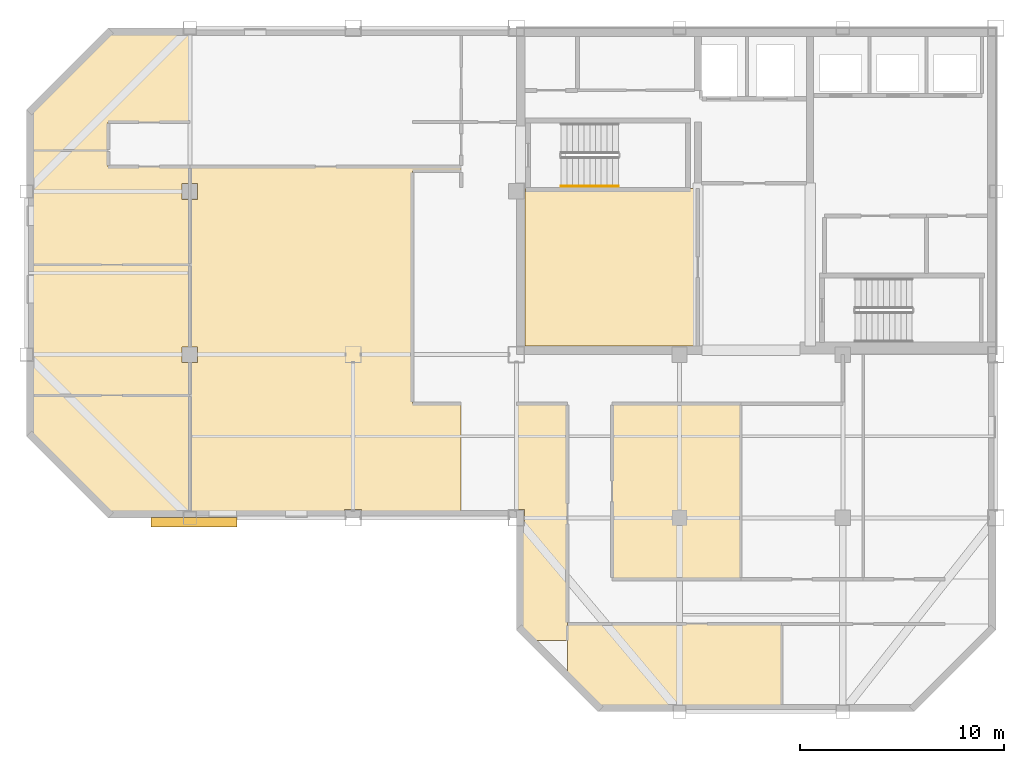
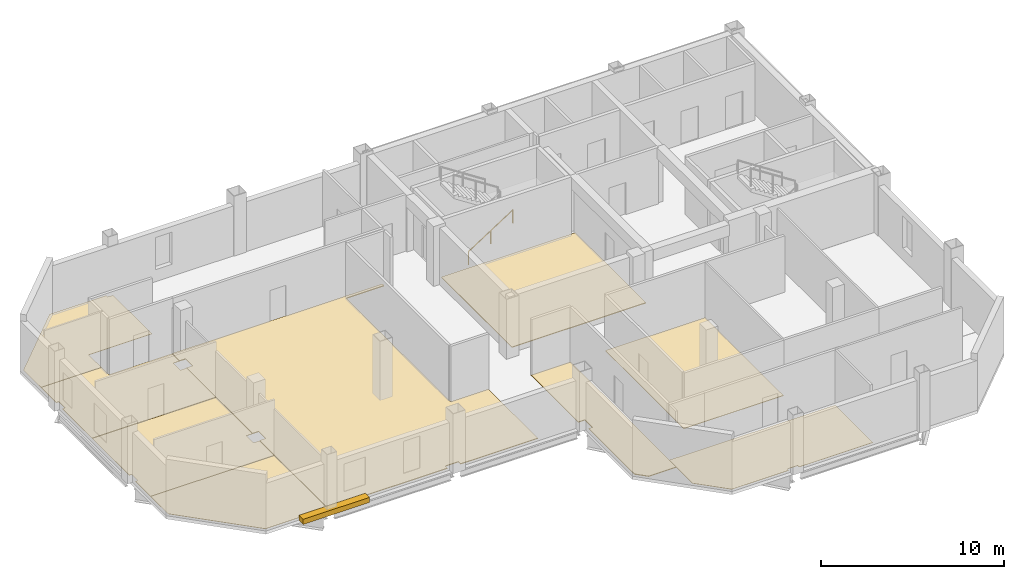
# One storey, part 5 of 7: 9 coverings, 1 railing, 1 shading device.
"""IFC4 building model written with IfcOpenShell, lengths in metres."""

import ifcopenshell
import ifcopenshell.guid

model = None  # the IFC model being written
_history = None  # IfcOwnerHistory: only IFC2X3 demands one
_inside = {}  # id of a spatial element -> (the spatial element, [elements in it])
_under = {}  # id of a project, library or spatial element -> (it, [spatial elements below it])
_declared = {}  # id of a project -> (the project, [libraries it declares])
_typed = {}  # id of a type object -> (the type object, [elements of that type])
_made_of = {}  # id of a material, layer set ... -> (it, [elements and type objects made of it])


def new_model(schema):
    """Start an empty IFC model of exactly this schema.

    Asked for "IFC4X3", IfcOpenShell would pick the latest addendum, in which some entities
    have other attributes; the version numbers below select the first issue.
    IFC2X3 requires an IfcOwnerHistory on every rooted entity: one is made here for all.
    """
    global model, _history
    if schema == "IFC4X3":
        model = ifcopenshell.file(schema_version=(4, 3, 0, 0))
    else:
        model = ifcopenshell.file(schema=schema)
    _inside.clear()
    _under.clear()
    _declared.clear()
    _typed.clear()
    _made_of.clear()
    _history = None
    if model.schema == "IFC2X3":
        org = make("IfcOrganization", Name="unknown")
        user = make(
            "IfcPersonAndOrganization",
            ThePerson=make("IfcPerson", FamilyName="unknown"),
            TheOrganization=org,
        )
        app = make(
            "IfcApplication",
            ApplicationDeveloper=org,
            Version="unknown",
            ApplicationFullName="unknown",
            ApplicationIdentifier="unknown",
        )
        _history = make(
            "IfcOwnerHistory",
            OwningUser=user,
            OwningApplication=app,
            ChangeAction="ADDED",
            CreationDate=0,
        )
    return model


def make(cls, **values):
    """One entity of the class cls with the attributes given. An attribute that is None is left unset."""
    return model.create_entity(
        cls, **{name: value for name, value in values.items() if value is not None}
    )


def rooted(cls, **values):
    """An entity with a GlobalId (a new one), such as an element, a storey or a relation."""
    return make(cls, GlobalId=ifcopenshell.guid.new(), OwnerHistory=_history, **values)


def si_unit(unit_type, name, prefix=None):
    """IfcSIUnit, for example si_unit("LENGTHUNIT", "METRE", prefix="MILLI")."""
    return make("IfcSIUnit", UnitType=unit_type, Prefix=prefix, Name=name)


def assignment(units):
    """IfcUnitAssignment: the units of a project."""
    return None if units is None else make("IfcUnitAssignment", Units=units)


def point(xyz):
    """IfcCartesianPoint."""
    return None if xyz is None else make("IfcCartesianPoint", Coordinates=xyz)


def direction(xyz):
    """IfcDirection."""
    return None if xyz is None else make("IfcDirection", DirectionRatios=xyz)


def frame(location, z_axis=None, x_axis=None):
    """IfcAxis2Placement3D, a coordinate frame: its origin and axes. An axis left out is left unset."""
    return make(
        "IfcAxis2Placement3D",
        Location=point(location),
        Axis=direction(z_axis),
        RefDirection=direction(x_axis),
    )


def frame_2d(location, x_axis=None):
    """IfcAxis2Placement2D, a coordinate frame in the plane: its origin and x axis."""
    return make(
        "IfcAxis2Placement2D", Location=point(location), RefDirection=direction(x_axis)
    )


def origin():
    """The frame at (0, 0, 0) with its axes left unset."""
    return frame((0.0, 0.0, 0.0))


def origin_2d():
    """The frame at (0, 0) in the plane with its x axis left unset."""
    return frame_2d((0.0, 0.0))


def place(relative_to, where):
    """IfcLocalPlacement: puts the frame where relative to a parent placement (None: the world)."""
    return make(
        "IfcLocalPlacement", PlacementRelTo=relative_to, RelativePlacement=where
    )


def context(
    kind, dimensions, precision=None, world=None, true_north=None, identifier=None
):
    """IfcGeometricRepresentationContext, for example the 3D "Model" context."""
    return make(
        "IfcGeometricRepresentationContext",
        ContextIdentifier=identifier,
        ContextType=kind,
        CoordinateSpaceDimension=dimensions,
        Precision=precision,
        WorldCoordinateSystem=world,
        TrueNorth=true_north,
    )


def subcontext(parent, identifier, kind, view, scale=None):
    """IfcGeometricRepresentationSubContext, for example "Body" below "Model"."""
    return make(
        "IfcGeometricRepresentationSubContext",
        ContextIdentifier=identifier,
        ContextType=kind,
        ParentContext=parent,
        TargetScale=scale,
        TargetView=view,
    )


def project(units=None, contexts=None):
    """IfcProject with its units and contexts."""
    return rooted(
        "IfcProject",
        Name="project",
        RepresentationContexts=contexts,
        UnitsInContext=assignment(units),
    )


def spatial(cls, under=None, at=None, **own):
    """A site, building, storey or space (cls), placed at a placement, below another one or the project."""
    s = rooted(cls, ObjectPlacement=at, **own)
    if under is not None:
        _under.setdefault(under.id(), (under, []))[1].append(s)
    return s


def polyline(points):
    """IfcPolyline through the points."""
    return make("IfcPolyline", Points=[point(p) for p in points])


def profile(cls, at=None, kind="AREA", **sizes):
    """A parametric profile (cls). Its sizes go by their IFC names, for example OverallWidth=200.0."""
    return make(cls, ProfileType=kind, Position=at, **sizes)


def rectangle(**sizes):
    """IfcRectangleProfileDef."""
    return profile("IfcRectangleProfileDef", **sizes)


def circle(**sizes):
    """IfcCircleProfileDef."""
    return profile("IfcCircleProfileDef", **sizes)


def outline(outer, holes=None, kind="AREA"):
    """IfcArbitraryClosedProfileDef: a profile drawn as a closed curve; with holes, ...WithVoids."""
    if holes is None:
        return make("IfcArbitraryClosedProfileDef", ProfileType=kind, OuterCurve=outer)
    return make(
        "IfcArbitraryProfileDefWithVoids",
        ProfileType=kind,
        OuterCurve=outer,
        InnerCurves=holes,
    )


def extrude(swept, where, along, depth):
    """IfcExtrudedAreaSolid: the profile swept, set in the frame where, extruded along a direction by depth."""
    return make(
        "IfcExtrudedAreaSolid",
        SweptArea=swept,
        Position=where,
        ExtrudedDirection=direction(along),
        Depth=depth,
    )


def shape(context_of_items, identifier, shape_type, items):
    """IfcShapeRepresentation: the items that make up one representation, for example the "Body"."""
    return make(
        "IfcShapeRepresentation",
        ContextOfItems=context_of_items,
        RepresentationIdentifier=identifier,
        RepresentationType=shape_type,
        Items=items,
    )


def material(Name=None, Category=None):
    """IfcMaterial."""
    return make("IfcMaterial", Name=Name, Category=Category)


def layer(
    of_material, thickness, ventilated=None, Name=None, Category=None, Priority=None
):
    """IfcMaterialLayer: one layer of a wall or slab, of a material (None: an air gap)."""
    return make(
        "IfcMaterialLayer",
        Material=of_material,
        LayerThickness=thickness,
        IsVentilated=ventilated,
        Name=Name,
        Category=Category,
        Priority=Priority,
    )


def layer_set(layers, Name=None):
    """IfcMaterialLayerSet."""
    return make("IfcMaterialLayerSet", MaterialLayers=layers, LayerSetName=Name)


def made_of(thing, what):
    """Note that an element or type object is made of a material, layer set ...; save() writes the relation."""
    if what is not None:
        _made_of.setdefault(what.id(), (what, []))[1].append(thing)
    return thing


def type_object(cls, material=None, **own):
    """A type object (cls), such as IfcWallType, which elements share."""
    return made_of(rooted(cls, **own), material)


def element(
    cls,
    number,
    at=None,
    inside=None,
    cuts=None,
    type_object=None,
    material=None,
    context=None,
    identifier="Body",
    shape_type=None,
    held_by="IfcProductDefinitionShape",
    body=None,
    shapes=None,
    **own,
):
    """One element of the class cls, such as IfcWall. Its Tag is "e" and its number.

    at: its placement. inside: the storey or other place that contains it. cuts: it is an
    opening in that element (IfcRelVoidsElement). A single representation is given by context,
    identifier, shape_type and body (its items); several are given by shapes. held_by: the class
    of the entity that holds the representations. save() writes the other relations.
    """
    e = rooted(cls, Tag="e%d" % number, ObjectPlacement=at, **own)
    if body is not None:
        shapes = [shape(context, identifier, shape_type, body)]
    if shapes is not None:
        e.Representation = make(held_by, Representations=shapes)
    if inside is not None:
        _inside.setdefault(inside.id(), (inside, []))[1].append(e)
    if cuts is not None:
        rooted(
            "IfcRelVoidsElement", RelatingBuildingElement=cuts, RelatedOpeningElement=e
        )
    if type_object is not None:
        _typed.setdefault(type_object.id(), (type_object, []))[1].append(e)
    return made_of(e, material)


def aggregate(whole, parts):
    """IfcRelAggregates: a whole, such as a stair, and the parts it consists of."""
    return rooted("IfcRelAggregates", RelatingObject=whole, RelatedObjects=parts)


def save(model, path):
    """Write the relations noted so far, then the file.

    IfcRelAggregates (storeys below a building ...), IfcRelContainedInSpatialStructure (elements
    in a storey), IfcRelDefinesByType, IfcRelAssociatesMaterial and IfcRelDeclares: one each for
    every whole, place, type object, material and project.
    """
    for whole, parts in _under.values():
        aggregate(whole, parts)
    for where, things in _inside.values():
        rooted(
            "IfcRelContainedInSpatialStructure",
            RelatedElements=things,
            RelatingStructure=where,
        )
    for kind, things in _typed.values():
        rooted("IfcRelDefinesByType", RelatedObjects=things, RelatingType=kind)
    for what, things in _made_of.values():
        rooted("IfcRelAssociatesMaterial", RelatedObjects=things, RelatingMaterial=what)
    for by, libraries in _declared.values():
        rooted("IfcRelDeclares", RelatingContext=by, RelatedDefinitions=libraries)
    model.write(path)


model = new_model("IFC4")

# Units and contexts
model_context = context("Model", 3, precision=1e-05, world=origin(), true_north=direction((0.0, 1.0)))
body_context = subcontext(model_context, "Body", "Model", "MODEL_VIEW")
ifc_project = project(units=[si_unit("LENGTHUNIT", "METRE"), si_unit("AREAUNIT", "SQUARE_METRE"), si_unit("VOLUMEUNIT", "CUBIC_METRE"), si_unit("PLANEANGLEUNIT", "RADIAN"), si_unit("MASSUNIT", "GRAM", prefix="KILO")], contexts=[model_context])

# Site, building, storey
site_placement = place(None, origin())
site = spatial("IfcSite", under=ifc_project, at=site_placement, CompositionType="ELEMENT")
building_placement = place(site_placement, origin())
building = spatial("IfcBuilding", under=site, at=building_placement, Name="Qianrong Seaharbour Tower", CompositionType="ELEMENT")
storey_placement = place(building_placement, frame((0.0, 0.0, 327.199951171875)))
storey = spatial("IfcBuildingStorey", under=building, at=storey_placement, Name="L79", CompositionType="ELEMENT", Elevation=327.199951171875)

# Coverings
ifc_material_1 = material(Name="Acoustic modular carpet tile flooring")
ifc_layer_1 = layer(ifc_material_1, 0.02001953125)
ifc_layer_set_1 = layer_set([ifc_layer_1], Name="Acoustic modular carpet tile flooring")
covering_type_1 = type_object("IfcCoveringType", Name="COV-FLOOR-CARPET-20", PredefinedType="FLOORING", material=ifc_layer_set_1)
covering_1_placement = place(storey_placement, origin())
element("IfcCovering", 1, at=covering_1_placement, inside=storey, type_object=covering_type_1, Name="L79 Harbour Sunset Lounge 1 Finish Flooring", PredefinedType="FLOORING", context=body_context, shape_type="SweptSolid", body=[
    extrude(outline(polyline([(20.572509765625, 28.175048828125), (16.675048828125, 32.072509765625), (16.675048828125, 34.0), (24.5, 34.0), (24.5, 28.3349609375), (24.1650390625, 28.3349609375), (24.1650390625, 28.175048828125), (20.572509765625, 28.175048828125)])), origin(), (0.0, 0.0, 1.0), 0.02001953125),
])
covering_2_placement = place(storey_placement, origin())
element("IfcCovering", 2, at=covering_2_placement, inside=storey, type_object=covering_type_1, Name="L79 Barista Coffee Pantry 2 Finish Flooring", PredefinedType="FLOORING", context=body_context, shape_type="SweptSolid", body=[
    extrude(outline(polyline([(16.675048828125, 34.0), (16.675048828125, 35.6650390625), (16.8349609375, 35.6650390625), (16.8349609375, 36.3349609375), (16.675048828125, 36.3349609375), (16.675048828125, 40.39990234375), (24.5, 40.39990234375), (24.5, 36.385009765625), (24.114990234375, 36.385009765625), (24.114990234375, 35.614990234375), (24.5, 35.614990234375), (24.5, 34.0), (16.675048828125, 34.0)])), origin(), (0.0, 0.0, 1.0), 0.02001953125),
])
covering_3_placement = place(storey_placement, origin())
element("IfcCovering", 3, at=covering_3_placement, inside=storey, type_object=covering_type_1, Name="L79 Quiet Sitting Lounge 4 Finish Flooring", PredefinedType="FLOORING", context=body_context, shape_type="SweptSolid", body=[
    extrude(outline(polyline([(16.675048828125, 47.927490234375), (20.572509765625, 51.824951171875), (24.1650390625, 51.824951171875), (24.1650390625, 51.6650390625), (24.5, 51.6650390625), (24.5, 47.39990234375), (20.5, 47.39990234375), (20.5, 46.0), (16.675048828125, 46.0), (16.675048828125, 47.927490234375)])), origin(), (0.0, 0.0, 1.0), 0.02001953125),
])
covering_4_placement = place(storey_placement, origin())
element("IfcCovering", 4, at=covering_4_placement, inside=storey, type_object=covering_type_1, Name="L79 South View Lounge 1 Finish Flooring", PredefinedType="FLOORING", context=body_context, shape_type="SweptSolid", body=[
    extrude(outline(polyline([(53.5, 18.675048828125), (48.8349609375, 18.675048828125), (48.8349609375, 18.8349609375), (48.1650390625, 18.8349609375), (48.1650390625, 18.675048828125), (44.572509765625, 18.675048828125), (43.0, 20.24755859375), (43.0, 22.800048828125), (53.5, 22.800048828125), (53.5, 18.675048828125)])), origin(), (0.0, 0.0, 1.0), 0.02001953125),
])
ifc_material_2 = material(Name="Honed granite stone flooring", Category="masonry")
ifc_layer_2 = layer(ifc_material_2, 0.030029296875)
ifc_layer_set_2 = layer_set([ifc_layer_2], Name="Honed granite stone flooring")
covering_type_2 = type_object("IfcCoveringType", Name="COV-FLOOR-GRANITE-30", PredefinedType="FLOORING", material=ifc_layer_set_2)
covering_5_placement = place(storey_placement, origin())
element("IfcCovering", 5, at=covering_5_placement, inside=storey, type_object=covering_type_2, Name="L79 Hospitality Dining Room 3 Finish Flooring", PredefinedType="FLOORING", context=body_context, shape_type="SweptSolid", body=[
    extrude(outline(polyline([(16.675048828125, 40.39990234375), (16.675048828125, 43.6650390625), (16.8349609375, 43.6650390625), (16.8349609375, 44.3349609375), (16.675048828125, 44.3349609375), (16.675048828125, 46.0), (20.5, 46.0), (20.5, 45.199951171875), (24.5, 45.199951171875), (24.5, 44.385009765625), (24.114990234375, 44.385009765625), (24.114990234375, 43.614990234375), (24.5, 43.614990234375), (24.5, 40.39990234375), (16.675048828125, 40.39990234375)])), origin(), (0.0, 0.0, 1.0), 0.030029296875),
])
covering_6_placement = place(storey_placement, origin())
element("IfcCovering", 6, at=covering_6_placement, inside=storey, type_object=covering_type_2, Name="L79 East Harbour Dining Salon 1 Finish Flooring", PredefinedType="FLOORING", context=body_context, shape_type="SweptSolid", body=[
    extrude(outline(polyline([(51.5, 33.60009765625), (51.5, 25.0), (45.199951171875, 25.0), (45.199951171875, 33.60009765625), (51.5, 33.60009765625)])), origin(), (0.0, 0.0, 1.0), 0.030029296875),
])
ifc_material_3 = material(Name="Calcium-sulphate raised access floor tile")
ifc_layer_3 = layer(ifc_material_3, 0.044921875)
ifc_layer_set_3 = layer_set([ifc_layer_3], Name="Calcium-sulphate raised access floor tile")
covering_type_3 = type_object("IfcCoveringType", Name="COV-FLOOR-RAISED-45", PredefinedType="FLOORING", material=ifc_layer_set_3)
covering_7_placement = place(storey_placement, origin())
element("IfcCovering", 7, at=covering_7_placement, inside=storey, type_object=covering_type_3, Name="L79 Data Systems Office Finish Flooring", PredefinedType="FLOORING", context=body_context, shape_type="SweptSolid", body=[
    extrude(outline(polyline([(49.39990234375, 44.14990234375), (49.39990234375, 36.419921875), (40.919921875, 36.419921875), (40.919921875, 44.14990234375), (49.39990234375, 44.14990234375)])), origin(), (0.0, 0.0, 1.0), 0.045166015625),
])
covering_8_placement = place(storey_placement, origin())
element("IfcCovering", 8, at=covering_8_placement, inside=storey, type_object=covering_type_3, Name="L79 Central Spine Open-Plan Office Finish Flooring", PredefinedType="FLOORING", context=body_context, shape_type="SweptSolid", body=[
    extrude(outline(polyline([(24.5, 35.614990234375), (24.885009765625, 35.614990234375), (24.885009765625, 36.385009765625), (24.5, 36.385009765625), (24.5, 43.614990234375), (24.885009765625, 43.614990234375), (24.885009765625, 44.385009765625), (24.5, 44.385009765625), (24.5, 45.199951171875), (37.800048828125, 45.199951171875), (37.800048828125, 45.0), (35.39990234375, 45.0), (35.39990234375, 33.60009765625), (37.800048828125, 33.60009765625), (37.800048828125, 28.175048828125), (32.909912109375, 28.175048828125), (32.909912109375, 28.409912109375), (32.090087890625, 28.409912109375), (32.090087890625, 28.175048828125), (24.8349609375, 28.175048828125), (24.8349609375, 28.3349609375), (24.5, 28.3349609375), (24.5, 35.614990234375)])), origin(), (0.0, 0.0, 1.0), 0.045166015625),
])
covering_9_placement = place(storey_placement, origin())
element("IfcCovering", 9, at=covering_9_placement, inside=storey, type_object=covering_type_3, Name="L79 Concierge Office 2 Finish Flooring", PredefinedType="FLOORING", context=body_context, shape_type="SweptSolid", body=[
    extrude(outline(polyline([(43.0, 22.0), (41.24755859375, 22.0), (40.675048828125, 22.572509765625), (40.675048828125, 27.590087890625), (40.909912109375, 27.590087890625), (40.909912109375, 28.409912109375), (40.5, 28.409912109375), (40.5, 33.60009765625), (43.0, 33.60009765625), (43.0, 22.0)])), origin(), (0.0, 0.0, 1.0), 0.045166015625),
])

# Railing
ifc_material_4 = material(Name="Stainless steel SUS316L continuous handrail", Category="steel")
railing_type = type_object("IfcRailingType", Name="RAIL-STAIR-HANDRAIL-900", PredefinedType="HANDRAIL", material=ifc_material_4)
railing_placement = place(storey_placement, frame((42.699951171875, 44.25, 0.181884765625)))
element("IfcRailing", 10, at=railing_placement, inside=storey, type_object=railing_type, Name="L79 ST-1 stair handrail 1", PredefinedType="HANDRAIL", context=body_context, shape_type="SweptSolid", body=[
    extrude(circle(Radius=0.02392578125, at=origin_2d()), frame((0.0, 0.0, 0.8759765625), z_axis=(0.838705829183, 0.0, 0.544584733623), x_axis=(0.0, 1.0, 0.0)), (0.0, 0.0, 1.0), 3.338623046875),
    extrude(circle(Radius=0.02099609375, at=origin_2d()), origin(), (0.0, 0.0, 1.0), 0.851806640625),
    extrude(circle(Radius=0.02099609375, at=origin_2d()), frame((1.39990234375, 0.0, 0.9091796875)), (0.0, 0.0, 1.0), 0.851806640625),
    extrude(circle(Radius=0.02099609375, at=origin_2d()), frame((2.800048828125, 0.0, 1.818115234375)), (0.0, 0.0, 1.0), 0.851806640625),
])

# Shading device
ifc_material_5 = material(Name="White architectural precast concrete C45/55", Category="concrete")
shading_device_type = type_object("IfcShadingDeviceType", Name="SHD-SUNSHADE-WHITE-320", PredefinedType="AWNING", material=ifc_material_5)
shading_device_placement = place(storey_placement, frame((24.699951171875, 27.780029296875, -0.02001953125), z_axis=(0.0, 0.0, 1.0), x_axis=(1.0, 0.0, 0.0)))
element("IfcShadingDevice", 11, at=shading_device_placement, inside=storey, type_object=shading_device_type, Name="L79 Climbing White Precast Ribbon Canopy Fin", PredefinedType="AWNING", context=body_context, shape_type="SweptSolid", body=[
    extrude(rectangle(XDim=4.199951171875, YDim=0.4599609375, at=origin_2d()), origin(), (0.0, 0.0, 1.0), 0.340087890625),
])

save(model, "model.ifc")
